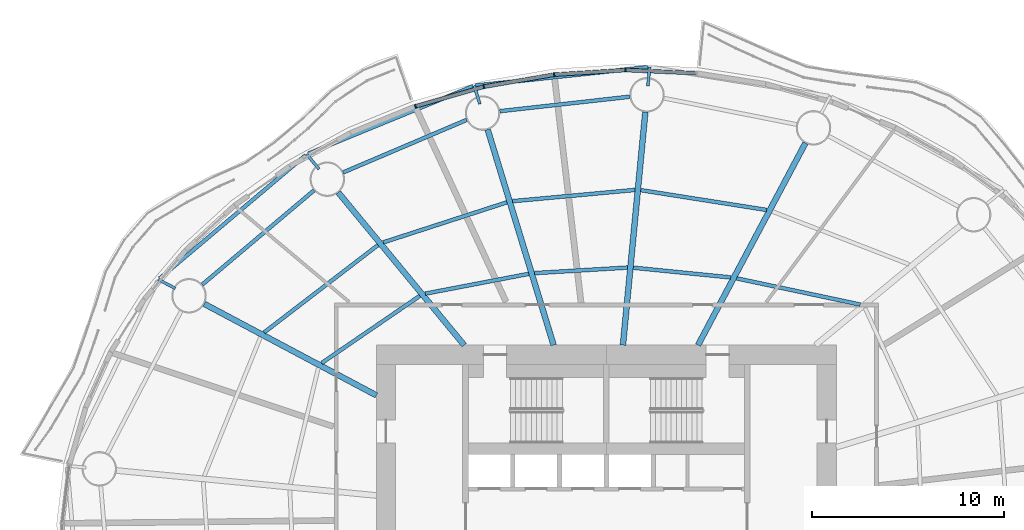
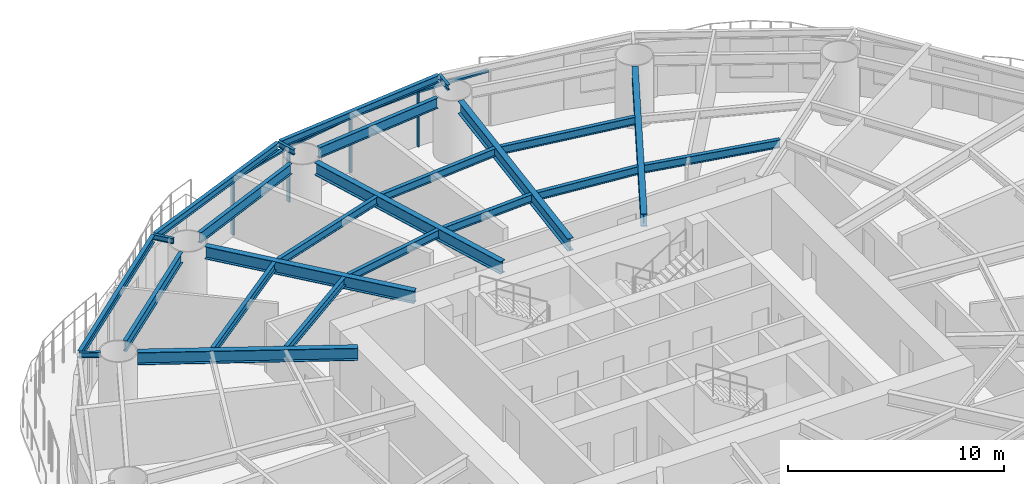
# One storey, part 5 of 16: 24 beams, 8 members, 4 elements without a shape of their own.
"""IFC4 building model written with IfcOpenShell, lengths in metres."""

from ifc_helpers import new_model, si_unit, direction, frame, origin, origin_2d, place, context, subcontext, project, spatial, rectangle, i_section, extrude, material, material_profile, profile_set, type_object, element, aggregate, save


model = new_model("IFC4")

# Units and contexts
model_context = context("Model", 3, precision=1e-05, world=origin(), true_north=direction((0.0, 1.0)))
body_context = subcontext(model_context, "Body", "Model", "MODEL_VIEW")
ifc_project = project(units=[si_unit("LENGTHUNIT", "METRE"), si_unit("AREAUNIT", "SQUARE_METRE"), si_unit("VOLUMEUNIT", "CUBIC_METRE"), si_unit("PLANEANGLEUNIT", "RADIAN"), si_unit("MASSUNIT", "GRAM", prefix="KILO")], contexts=[model_context])

# Site, building, storey
site_placement = place(None, origin())
site = spatial("IfcSite", under=ifc_project, at=site_placement, CompositionType="ELEMENT")
building_placement = place(site_placement, origin())
building = spatial("IfcBuilding", under=site, at=building_placement, Name="Vermilion Reach Broadcast Tower", CompositionType="ELEMENT")
storey_placement = place(building_placement, frame((0.0, 0.0, 61.89990234375)))
storey = spatial("IfcBuildingStorey", under=building, at=storey_placement, Name="L12", CompositionType="ELEMENT", Elevation=61.89990234375)

# Beams
ifc_material_1 = material(Name="Steel S355J2", Category="steel")
ifc_material_profile_1 = material_profile(ifc_material_1, i_section(OverallWidth=0.199951171875, OverallDepth=0.39990234375, WebThickness=0.008056640625, FlangeThickness=0.012939453125, at=origin_2d()), Name="S355J2 HN 400x200x8x13")
ifc_profile_set_1 = profile_set([ifc_material_profile_1], Name="Steel S355J2")
beam_type_1 = type_object("IfcBeamType", Name="EB1 HN 400x200x8x13", PredefinedType="BEAM", material=ifc_profile_set_1)
beam_1_placement = place(storey_placement, frame((-3.816162109375, 23.50634765625, 3.35009765625), z_axis=(-0.994345616959, -0.106192250355, 0.0), x_axis=(0.106192250355, -0.994345616959, 0.0)))
element("IfcBeam", 1, at=beam_1_placement, inside=storey, type_object=beam_type_1, Name="Edge beam EB1-04", PredefinedType="BEAM", context=body_context, shape_type="SweptSolid", body=[
    extrude(i_section(OverallWidth=0.199951171875, OverallDepth=0.39990234375, WebThickness=0.008056640625, FlangeThickness=0.012939453125, at=origin_2d()), origin(), (0.0, 0.0, 1.0), 9.0537109375),
])
beam_2_placement = place(storey_placement, frame((-12.964111328125, 22.50830078125, 3.35009765625), z_axis=(-0.925469074038, -0.37882316851, 0.0), x_axis=(0.37882316851, -0.925469074038, 0.0)))
element("IfcBeam", 2, at=beam_2_placement, inside=storey, type_object=beam_type_1, Name="Edge beam EB1-05", PredefinedType="BEAM", context=body_context, shape_type="SweptSolid", body=[
    extrude(i_section(OverallWidth=0.199951171875, OverallDepth=0.39990234375, WebThickness=0.008056640625, FlangeThickness=0.012939453125, at=origin_2d()), origin(), (0.0, 0.0, 1.0), 9.2900390625),
])
beam_3_placement = place(storey_placement, frame((-21.691650390625, 18.910888671875, 3.35009765625), z_axis=(-0.764238710019, -0.644933480375, 0.0), x_axis=(0.644933480375, -0.764238710019, 0.0)))
element("IfcBeam", 3, at=beam_3_placement, inside=storey, type_object=beam_type_1, Name="Edge beam EB1-06", PredefinedType="BEAM", context=body_context, shape_type="SweptSolid", body=[
    extrude(i_section(OverallWidth=0.199951171875, OverallDepth=0.39990234375, WebThickness=0.008056640625, FlangeThickness=0.012939453125, at=origin_2d()), origin(), (0.0, 0.0, 1.0), 9.97607421875),
])
ifc_material_2 = material(Name="Steel S355J2", Category="steel")
ifc_material_profile_2 = material_profile(ifc_material_2, i_section(OverallWidth=0.300048828125, OverallDepth=0.699951171875, WebThickness=0.012939453125, FlangeThickness=0.02392578125, at=origin_2d()), Name="S355J2 HN 700x300x13x24")
ifc_profile_set_2 = profile_set([ifc_material_profile_2], Name="Steel S355J2")
beam_type_2 = type_object("IfcBeamType", Name="G1 HN 700x300x13x24", PredefinedType="BEAM", material=ifc_profile_set_2)
beam_4_placement = place(storey_placement, frame((-1.216552734375, 9.0, 3.2001953125), z_axis=(0.469312182262, 0.883032318537, 0.0), x_axis=(-0.883032318537, 0.469312182262, 0.0)))
element("IfcBeam", 4, at=beam_4_placement, inside=storey, type_object=beam_type_2, Name="Girder G1-03", PredefinedType="BEAM", context=body_context, shape_type="SweptSolid", body=[
    extrude(i_section(OverallWidth=0.300048828125, OverallDepth=0.699951171875, WebThickness=0.012939453125, FlangeThickness=0.02392578125, at=origin_2d()), origin(), (0.0, 0.0, 1.0), 11.94091796875),
])
beam_5_placement = place(storey_placement, frame((-5.135009765625, 9.0, 3.2001953125), z_axis=(0.09566673912, 0.995413419151, 0.0), x_axis=(-0.995413419151, 0.09566673912, 0.0)))
element("IfcBeam", 5, at=beam_5_placement, inside=storey, type_object=beam_type_2, Name="Girder G1-04", PredefinedType="BEAM", context=body_context, shape_type="SweptSolid", body=[
    extrude(i_section(OverallWidth=0.300048828125, OverallDepth=0.699951171875, WebThickness=0.012939453125, FlangeThickness=0.02392578125, at=origin_2d()), origin(), (0.0, 0.0, 1.0), 12.22412109375),
])
beam_6_placement = place(storey_placement, frame((-8.753173828125, 9.0, 3.2001953125), z_axis=(-0.292542302886, 0.95625258223, 0.0), x_axis=(-0.95625258223, -0.292542302886, 0.0)))
element("IfcBeam", 6, at=beam_6_placement, inside=storey, type_object=beam_type_2, Name="Girder G1-05", PredefinedType="BEAM", context=body_context, shape_type="SweptSolid", body=[
    extrude(i_section(OverallWidth=0.300048828125, OverallDepth=0.699951171875, WebThickness=0.012939453125, FlangeThickness=0.02392578125, at=origin_2d()), origin(), (0.0, 0.0, 1.0), 11.76220703125),
])
beam_7_placement = place(storey_placement, frame((-13.421630859375, 9.0, 3.2001953125), z_axis=(-0.636215165107, 0.77151167437, 0.0), x_axis=(-0.77151167437, -0.636215165107, 0.0)))
element("IfcBeam", 7, at=beam_7_placement, inside=storey, type_object=beam_type_2, Name="Girder G1-06", PredefinedType="BEAM", context=body_context, shape_type="SweptSolid", body=[
    extrude(i_section(OverallWidth=0.300048828125, OverallDepth=0.699951171875, WebThickness=0.012939453125, FlangeThickness=0.02392578125, at=origin_2d()), origin(), (0.0, 0.0, 1.0), 10.3251953125),
])
beam_8_placement = place(storey_placement, frame((-18.0, 6.3779296875, 3.2001953125), z_axis=(-0.883032139419, 0.469312519279, 0.0), x_axis=(-0.469312519279, -0.883032139419, 0.0)))
element("IfcBeam", 8, at=beam_8_placement, inside=storey, type_object=beam_type_2, Name="Girder G1-07", PredefinedType="BEAM", context=body_context, shape_type="SweptSolid", body=[
    extrude(i_section(OverallWidth=0.300048828125, OverallDepth=0.699951171875, WebThickness=0.012939453125, FlangeThickness=0.02392578125, at=origin_2d()), origin(), (0.0, 0.0, 1.0), 10.17529296875),
])
ifc_material_3 = material(Name="Steel S355J2", Category="steel")
ifc_material_profile_3 = material_profile(ifc_material_3, i_section(OverallWidth=0.14990234375, OverallDepth=0.300048828125, WebThickness=0.006591796875, FlangeThickness=0.009033203125, at=origin_2d()), Name="S355J2 HN 300x150x6.5x9")
ifc_profile_set_3 = profile_set([ifc_material_profile_3], Name="Steel S355J2")
beam_type_3 = type_object("IfcBeamType", Name="GS1 HN 300x150x6.5x9", PredefinedType="BEAM", material=ifc_profile_set_3)
for number, where, z_axis, x_axis, name in (
    (9, (-3.835693359375, 22.51904296875, 3.400146484375), (0.095707754417, 0.995409476419, 0.0), (-0.995409476419, 0.095707754417, 0.0), "Cantilever stub GS1-04"),
    (10, (-12.60205078125, 21.58056640625, 3.400146484375), (-0.292472824594, 0.95627383467, 0.0), (-0.95627383467, -0.292472824594, 0.0), "Cantilever stub GS1-05"),
    (11, (-20.998046875, 18.187744140625, 3.400146484375), (-0.636237674108, 0.771493112118, 0.0), (-0.771493112118, -0.636237674108, 0.0), "Cantilever stub GS1-06"),
    (12, (-28.494384765625, 11.95556640625, 3.400146484375), (-0.883068299348, 0.469244476458, 0.0), (-0.469244476458, -0.883068299348, 0.0), "Cantilever stub GS1-07"),
):
    element("IfcBeam", number, at=place(storey_placement, frame(where, z_axis=z_axis, x_axis=x_axis)), inside=storey, type_object=beam_type_3, Name=name, PredefinedType="BEAM", context=body_context, shape_type="SweptSolid", body=[
        extrude(i_section(OverallWidth=0.14990234375, OverallDepth=0.300048828125, WebThickness=0.006591796875, FlangeThickness=0.009033203125, at=origin_2d()), origin(), (0.0, 0.0, 1.0), 1.0),
    ])
ifc_material_4 = material(Name="Steel S355J2", Category="steel")
ifc_material_profile_4 = material_profile(ifc_material_4, i_section(OverallWidth=0.199951171875, OverallDepth=0.60009765625, WebThickness=0.010986328125, FlangeThickness=0.01708984375, at=origin_2d()), Name="S355J2 HN 600x200x11x17")
ifc_profile_set_4 = profile_set([ifc_material_profile_4], Name="Steel S355J2")
beam_type_4 = type_object("IfcBeamType", Name="RB1 HN 600x200x11x17", PredefinedType="BEAM", material=ifc_profile_set_4)
beam_9_placement = place(storey_placement, frame((-4.77392578125, 21.964111328125, 3.25), z_axis=(-0.993851439324, -0.110721798009, 0.0), x_axis=(0.110721798009, -0.993851439324, 0.0)))
element("IfcBeam", 13, at=beam_9_placement, inside=storey, type_object=beam_type_4, Name="Ring beam RB1-04", PredefinedType="BEAM", context=body_context, shape_type="SweptSolid", body=[
    extrude(i_section(OverallWidth=0.199951171875, OverallDepth=0.60009765625, WebThickness=0.010986328125, FlangeThickness=0.01708984375, at=origin_2d()), origin(), (0.0, 0.0, 1.0), 6.8310546875),
])
beam_10_placement = place(storey_placement, frame((-13.28564453125, 20.755859375, 3.25), z_axis=(-0.920220846584, -0.391399531825, 0.0), x_axis=(0.391399531825, -0.920220846584, 0.0)))
element("IfcBeam", 14, at=beam_10_placement, inside=storey, type_object=beam_type_4, Name="Ring beam RB1-05", PredefinedType="BEAM", context=body_context, shape_type="SweptSolid", body=[
    extrude(i_section(OverallWidth=0.199951171875, OverallDepth=0.60009765625, WebThickness=0.010986328125, FlangeThickness=0.01708984375, at=origin_2d()), origin(), (0.0, 0.0, 1.0), 7.008544921875),
])
beam_11_placement = place(storey_placement, frame((-21.251220703125, 17.080322265625, 3.25), z_axis=(-0.764512441084, -0.6446089725, 0.0), x_axis=(0.6446089725, -0.764512441084, 0.0)))
element("IfcBeam", 15, at=beam_11_placement, inside=storey, type_object=beam_type_4, Name="Ring beam RB1-06", PredefinedType="BEAM", context=body_context, shape_type="SweptSolid", body=[
    extrude(i_section(OverallWidth=0.199951171875, OverallDepth=0.60009765625, WebThickness=0.010986328125, FlangeThickness=0.01708984375, at=origin_2d()), origin(), (0.0, 0.0, 1.0), 7.6396484375),
])
ifc_material_5 = material(Name="Steel S355J2", Category="steel")
ifc_material_profile_5 = material_profile(ifc_material_5, i_section(OverallWidth=0.199951171875, OverallDepth=0.449951171875, WebThickness=0.009033203125, FlangeThickness=0.013916015625, at=origin_2d()), Name="S355J2 HN 450x200x9x14")
ifc_profile_set_5 = profile_set([ifc_material_profile_5], Name="Steel S355J2")
beam_type_5 = type_object("IfcBeamType", Name="SB1 HN 450x200x9x14", PredefinedType="BEAM", material=ifc_profile_set_5)
beam_12_placement = place(storey_placement, frame((7.24560546875, 11.1171875, 3.3251953125), z_axis=(-0.978270372412, 0.207333254596, 0.0), x_axis=(-0.207333254596, -0.978270372412, 0.0)))
element("IfcBeam", 16, at=beam_12_placement, inside=storey, type_object=beam_type_5, Name="Secondary beam SB1-02-1", PredefinedType="BEAM", context=body_context, shape_type="SweptSolid", body=[
    extrude(i_section(OverallWidth=0.199951171875, OverallDepth=0.449951171875, WebThickness=0.009033203125, FlangeThickness=0.013916015625, at=origin_2d()), origin(), (0.0, 0.0, 1.0), 6.584716796875),
])
beam_13_placement = place(storey_placement, frame((0.490234375, 12.531005859375, 3.3251953125), z_axis=(-0.995010199331, 0.099773259079, 0.0), x_axis=(-0.099773259079, -0.995010199331, 0.0)))
element("IfcBeam", 17, at=beam_13_placement, inside=storey, type_object=beam_type_5, Name="Secondary beam SB1-03-1", PredefinedType="BEAM", context=body_context, shape_type="SweptSolid", body=[
    extrude(i_section(OverallWidth=0.199951171875, OverallDepth=0.449951171875, WebThickness=0.009033203125, FlangeThickness=0.013916015625, at=origin_2d()), origin(), (0.0, 0.0, 1.0), 5.111572265625),
])
beam_14_placement = place(storey_placement, frame((2.36279296875, 16.05419921875, 3.3251953125), z_axis=(-0.987829548379, 0.155540294938, 0.0), x_axis=(-0.155540294938, -0.987829548379, 0.0)))
element("IfcBeam", 18, at=beam_14_placement, inside=storey, type_object=beam_type_5, Name="Secondary beam SB1-03-2", PredefinedType="BEAM", context=body_context, shape_type="SweptSolid", body=[
    extrude(i_section(OverallWidth=0.199951171875, OverallDepth=0.449951171875, WebThickness=0.009033203125, FlangeThickness=0.013916015625, at=origin_2d()), origin(), (0.0, 0.0, 1.0), 6.650634765625),
])
beam_15_placement = place(storey_placement, frame((-4.896728515625, 13.046875, 3.3251953125), z_axis=(-0.99823410974, -0.059402543307, 0.0), x_axis=(0.059402543307, -0.99823410974, 0.0)))
element("IfcBeam", 19, at=beam_15_placement, inside=storey, type_object=beam_type_5, Name="Secondary beam SB1-04-1", PredefinedType="BEAM", context=body_context, shape_type="SweptSolid", body=[
    extrude(i_section(OverallWidth=0.199951171875, OverallDepth=0.449951171875, WebThickness=0.009033203125, FlangeThickness=0.013916015625, at=origin_2d()), origin(), (0.0, 0.0, 1.0), 4.85791015625),
])
beam_16_placement = place(storey_placement, frame((-4.50732421875, 17.09814453125, 3.3251953125), z_axis=(-0.995818616382, -0.091352521952, 0.0), x_axis=(0.091352521952, -0.995818616382, 0.0)))
element("IfcBeam", 20, at=beam_16_placement, inside=storey, type_object=beam_type_5, Name="Secondary beam SB1-04-2", PredefinedType="BEAM", context=body_context, shape_type="SweptSolid", body=[
    extrude(i_section(OverallWidth=0.199951171875, OverallDepth=0.449951171875, WebThickness=0.009033203125, FlangeThickness=0.013916015625, at=origin_2d()), origin(), (0.0, 0.0, 1.0), 6.4140625),
])
beam_17_placement = place(storey_placement, frame((-10.04833984375, 12.720703125, 3.3251953125), z_axis=(-0.982151348822, -0.188092339045, 0.0), x_axis=(0.188092339045, -0.982151348822, 0.0)))
element("IfcBeam", 21, at=beam_17_placement, inside=storey, type_object=beam_type_5, Name="Secondary beam SB1-05-1", PredefinedType="BEAM", context=body_context, shape_type="SweptSolid", body=[
    extrude(i_section(OverallWidth=0.199951171875, OverallDepth=0.449951171875, WebThickness=0.009033203125, FlangeThickness=0.013916015625, at=origin_2d()), origin(), (0.0, 0.0, 1.0), 5.4931640625),
])
beam_18_placement = place(storey_placement, frame((-11.18994140625, 16.4521484375, 3.3251953125), z_axis=(-0.951332300844, -0.308166924523, 0.0), x_axis=(0.308166924523, -0.951332300844, 0.0)))
element("IfcBeam", 22, at=beam_18_placement, inside=storey, type_object=beam_type_5, Name="Secondary beam SB1-05-2", PredefinedType="BEAM", context=body_context, shape_type="SweptSolid", body=[
    extrude(i_section(OverallWidth=0.199951171875, OverallDepth=0.449951171875, WebThickness=0.009033203125, FlangeThickness=0.013916015625, at=origin_2d()), origin(), (0.0, 0.0, 1.0), 6.787841796875),
])
beam_19_placement = place(storey_placement, frame((-15.735595703125, 11.5703125, 3.3251953125), z_axis=(-0.825140253447, -0.564927926502, 0.0), x_axis=(0.564927926502, -0.825140253447, 0.0)))
element("IfcBeam", 23, at=beam_19_placement, inside=storey, type_object=beam_type_5, Name="Secondary beam SB1-06-1", PredefinedType="BEAM", context=body_context, shape_type="SweptSolid", body=[
    extrude(i_section(OverallWidth=0.199951171875, OverallDepth=0.449951171875, WebThickness=0.009033203125, FlangeThickness=0.013916015625, at=origin_2d()), origin(), (0.0, 0.0, 1.0), 6.20458984375),
])
beam_20_placement = place(storey_placement, frame((-17.920166015625, 14.21923828125, 3.3251953125), z_axis=(-0.793349617473, -0.60876628065, 0.0), x_axis=(0.60876628065, -0.793349617473, 0.0)))
element("IfcBeam", 24, at=beam_20_placement, inside=storey, type_object=beam_type_5, Name="Secondary beam SB1-06-2", PredefinedType="BEAM", context=body_context, shape_type="SweptSolid", body=[
    extrude(i_section(OverallWidth=0.199951171875, OverallDepth=0.449951171875, WebThickness=0.009033203125, FlangeThickness=0.013916015625, at=origin_2d()), origin(), (0.0, 0.0, 1.0), 7.486328125),
])

# Curtain wall, member
ifc_material_6 = material(Name="Low-e laminated clear glass in aluminium frame", Category="aluminium")
curtain_wall_type = type_object("IfcCurtainWallType", Name="Slot curtain wall", PredefinedType="NOTDEFINED", material=ifc_material_6)
placement = place(storey_placement, origin())
curtain_wall_1 = element("IfcCurtainWall", 25, at=placement, inside=storey, type_object=curtain_wall_type, Name="Slot curtain wall L12 11", PredefinedType="NOTDEFINED")
ifc_material_7 = material(Name="Anodised aluminium", Category="aluminium")
ifc_material_profile_6 = material_profile(ifc_material_7, rectangle(XDim=0.199951171875, YDim=0.080078125, at=origin_2d()), Name="Slot mullion 80 x 200")
ifc_profile_set_6 = profile_set([ifc_material_profile_6], Name="Anodised aluminium")
member_type_1 = type_object("IfcMemberType", Name="Slot mullion 80 x 200", PredefinedType="MULLION", material=ifc_profile_set_6)
member_1_placement = place(storey_placement, frame((-5.002685546875, 23.35400390625, 0.0), z_axis=(0.0, 0.0, 1.0), x_axis=(0.009670012862, -0.999953244333, 0.0)))
member_1 = element("IfcMember", 26, at=member_1_placement, type_object=member_type_1, Name="Slot mullion L12 11", PredefinedType="MULLION", context=body_context, shape_type="SweptSolid", body=[
    extrude(rectangle(XDim=0.199951171875, YDim=0.080078125, at=origin_2d()), origin(), (0.0, 0.0, 1.0), 3.150146484375),
])

curtain_wall_2 = element("IfcCurtainWall", 27, at=placement, inside=storey, type_object=curtain_wall_type, Name="Slot curtain wall L12 12", PredefinedType="NOTDEFINED")
member_2_placement = place(storey_placement, frame((-8.723876953125, 23.116943359375, 0.0), z_axis=(0.0, 0.0, 1.0), x_axis=(0.117017417367, -0.993129862623, 0.0)))
member_2 = element("IfcMember", 28, at=member_2_placement, type_object=member_type_1, Name="Slot mullion L12 12", PredefinedType="MULLION", context=body_context, shape_type="SweptSolid", body=[
    extrude(rectangle(XDim=0.199951171875, YDim=0.080078125, at=origin_2d()), origin(), (0.0, 0.0, 1.0), 3.150146484375),
])

# Curtain wall, members
curtain_wall_3 = element("IfcCurtainWall", 29, at=placement, inside=storey, type_object=curtain_wall_type, Name="Slot curtain wall L12 13", PredefinedType="NOTDEFINED")
member_3_placement = place(storey_placement, frame((-12.398193359375, 22.482666015625, 0.0), z_axis=(0.0, 0.0, 1.0), x_axis=(0.223010857251, -0.97481596086, 0.0)))
member_3 = element("IfcMember", 30, at=member_3_placement, type_object=member_type_1, Name="Slot mullion L12 13", PredefinedType="MULLION", context=body_context, shape_type="SweptSolid", body=[
    extrude(rectangle(XDim=0.199951171875, YDim=0.080078125, at=origin_2d()), origin(), (0.0, 0.0, 1.0), 3.150146484375),
])
member_4_placement = place(storey_placement, frame((-15.962158203125, 21.462158203125, 0.0), z_axis=(0.0, 0.0, 1.0), x_axis=(0.327564206128, -0.944828921479, 0.0)))
member_4 = element("IfcMember", 31, at=member_4_placement, type_object=member_type_1, Name="Slot mullion L12 14", PredefinedType="MULLION", context=body_context, shape_type="SweptSolid", body=[
    extrude(rectangle(XDim=0.199951171875, YDim=0.080078125, at=origin_2d()), origin(), (0.0, 0.0, 1.0), 3.150146484375),
])

# Curtain wall, member
curtain_wall_4 = element("IfcCurtainWall", 32, at=placement, inside=storey, type_object=curtain_wall_type, Name="Slot curtain wall L12 10", PredefinedType="NOTDEFINED")
ifc_material_8 = material(Name="Anodised aluminium", Category="aluminium")
ifc_material_profile_7 = material_profile(ifc_material_8, rectangle(XDim=0.199951171875, YDim=0.10009765625, at=origin_2d()), Name="Slot transom 200 x 100")
ifc_profile_set_7 = profile_set([ifc_material_profile_7], Name="Anodised aluminium")
member_type_2 = type_object("IfcMemberType", Name="Slot transom 200 x 100", PredefinedType="USERDEFINED", material=ifc_profile_set_7)
member_5_placement = place(storey_placement, frame((-1.3388671875, 23.191650390625, 3.10009765625), z_axis=(-0.999018842149, 0.044287165542, 0.0), x_axis=(-0.044287165542, -0.999018842149, 0.0)))
member_5 = element("IfcMember", 33, at=member_5_placement, type_object=member_type_2, Name="Slot transom L12 10.1", ObjectType="TRANSOM", PredefinedType="USERDEFINED", context=body_context, shape_type="SweptSolid", body=[
    extrude(rectangle(XDim=0.199951171875, YDim=0.10009765625, at=origin_2d()), origin(), (0.0, 0.0, 1.0), 3.62744140625),
])
aggregate(curtain_wall_4, [member_5])

# Member
member_6_placement = place(storey_placement, frame((-5.042724609375, 23.3515625, 3.10009765625), z_axis=(-0.99797315366, -0.063636346328, 0.0), x_axis=(0.063636346328, -0.99797315366, 0.0)))
member_6 = element("IfcMember", 34, at=member_6_placement, type_object=member_type_2, Name="Slot transom L12 11.1", ObjectType="TRANSOM", PredefinedType="USERDEFINED", context=body_context, shape_type="SweptSolid", body=[
    extrude(rectangle(XDim=0.199951171875, YDim=0.10009765625, at=origin_2d()), origin(), (0.0, 0.0, 1.0), 3.6484375),
])

aggregate(curtain_wall_1, [member_1, member_6])

member_7_placement = place(storey_placement, frame((-8.76318359375, 23.110107421875, 3.10009765625), z_axis=(-0.985428032487, -0.170092894587, 0.0), x_axis=(0.170092894587, -0.985428032487, 0.0)))
member_7 = element("IfcMember", 35, at=member_7_placement, type_object=member_type_2, Name="Slot transom L12 12.1", ObjectType="TRANSOM", PredefinedType="USERDEFINED", context=body_context, shape_type="SweptSolid", body=[
    extrude(rectangle(XDim=0.199951171875, YDim=0.10009765625, at=origin_2d()), origin(), (0.0, 0.0, 1.0), 3.648681640625),
])

aggregate(curtain_wall_2, [member_2, member_7])

member_8_placement = place(storey_placement, frame((-12.4365234375, 22.4716796875, 3.10009765625), z_axis=(-0.961366324387, -0.275272211337, 0.0), x_axis=(0.275272211337, -0.961366324387, 0.0)))
member_8 = element("IfcMember", 36, at=member_8_placement, type_object=member_type_2, Name="Slot transom L12 13.1", ObjectType="TRANSOM", PredefinedType="USERDEFINED", context=body_context, shape_type="SweptSolid", body=[
    extrude(rectangle(XDim=0.199951171875, YDim=0.10009765625, at=origin_2d()), origin(), (0.0, 0.0, 1.0), 3.62744140625),
])

aggregate(curtain_wall_3, [member_3, member_4, member_8])

save(model, "model.ifc")
